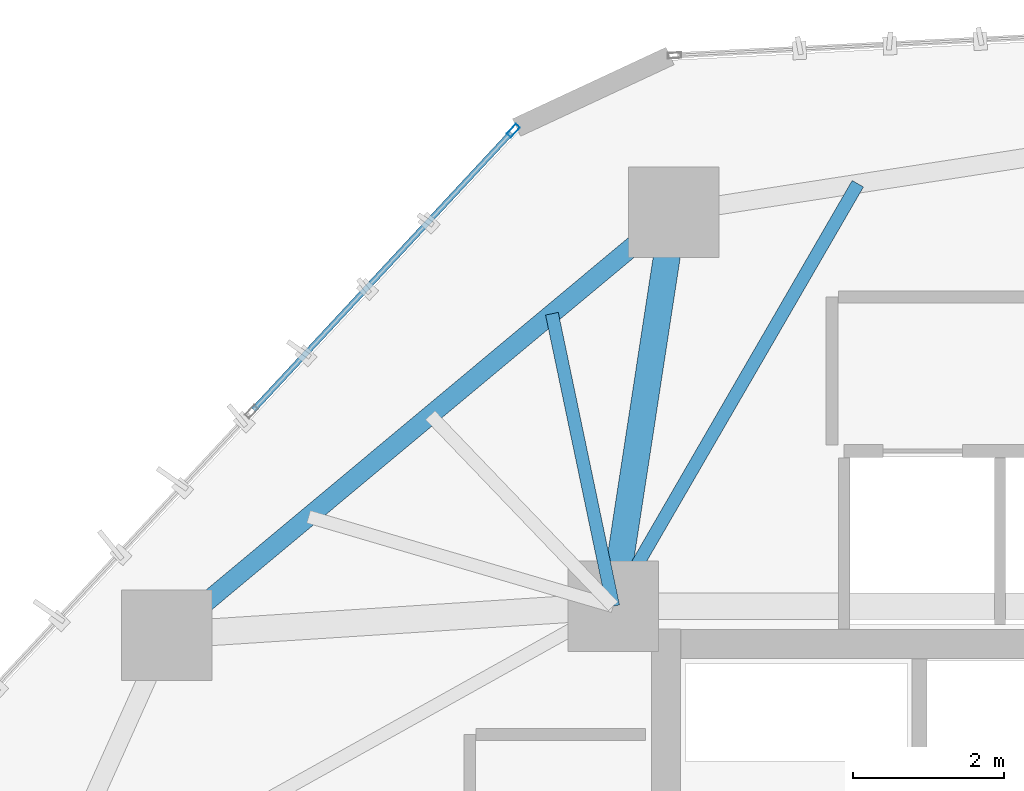
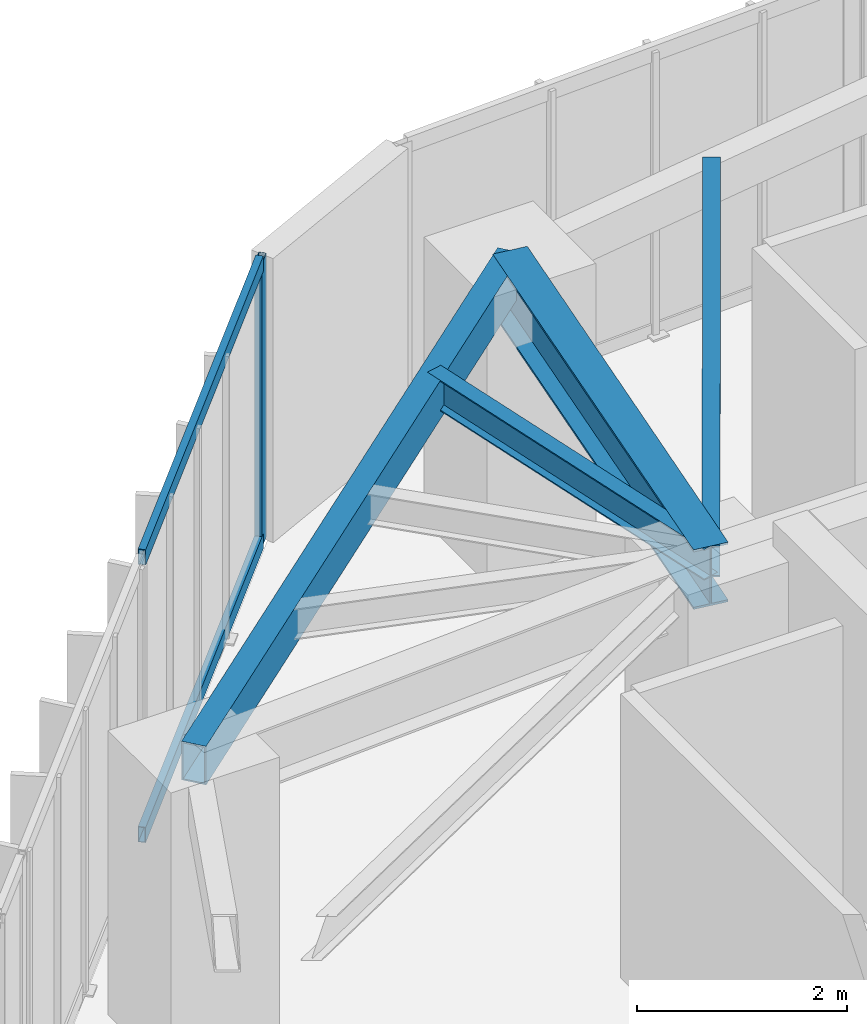
# One storey, part 11 of 23: 4 beams, 3 members, 1 element without a shape of its own.
"""IFC4 building model written with IfcOpenShell, lengths in metres."""

from ifc_helpers import new_model, si_unit, direction, frame, origin, origin_2d, place, context, subcontext, project, spatial, hollow_rectangle, i_section, extrude, source, transform, mapped, material, layer, layer_set, material_profile, profile_set, type_object, type_shapes, element, aggregate, save


model = new_model("IFC4")

# Units and contexts
model_context = context("Model", 3, precision=1e-05, world=origin(), true_north=direction((0.0, 1.0)))
body_context = subcontext(model_context, "Body", "Model", "MODEL_VIEW")
ifc_project = project(units=[si_unit("LENGTHUNIT", "METRE"), si_unit("AREAUNIT", "SQUARE_METRE"), si_unit("VOLUMEUNIT", "CUBIC_METRE"), si_unit("PLANEANGLEUNIT", "RADIAN"), si_unit("MASSUNIT", "GRAM", prefix="KILO")], contexts=[model_context])

# Site, building, storey
site_placement = place(None, origin())
site = spatial("IfcSite", under=ifc_project, at=site_placement, CompositionType="ELEMENT")
building_placement = place(site_placement, origin())
building = spatial("IfcBuilding", under=site, at=building_placement, Name="Talar Marvaseh", CompositionType="ELEMENT")
storey_placement = place(building_placement, frame((0.0, 0.0, 100.199951171875)))
storey = spatial("IfcBuildingStorey", under=building, at=storey_placement, Name="L25", CompositionType="ELEMENT", Elevation=100.199951171875)

# Beams
ifc_material_1 = material(Name="Steel S355", Category="steel")
ifc_material_profile_1 = material_profile(ifc_material_1, hollow_rectangle(XDim=0.25, YDim=0.449951171875, WallThickness=0.01611328125, at=origin_2d()), Name="RHS450x250x16")
ifc_profile_set_1 = profile_set([ifc_material_profile_1], Name="Steel S355")
beam_type_1 = type_object("IfcBeamType", Name="Zone 2 Perimeter Spandrel Beam RHS450x250x16", PredefinedType="SPANDREL", material=ifc_profile_set_1)
beam_1_placement = place(storey_placement, frame((12.780029296875, 36.51708984375, 3.0849609375), z_axis=(0.76793081465, 0.640532796905, 0.0), x_axis=(-0.640532796905, 0.76793081465, 0.0)))
element("IfcBeam", 1, at=beam_1_placement, inside=storey, type_object=beam_type_1, Name="L25 Zone 2 Perimeter Spandrel Beam RHS450x250x16", PredefinedType="SPANDREL", context=body_context, shape_type="SweptSolid", body=[
    extrude(hollow_rectangle(XDim=0.25, YDim=0.449951171875, WallThickness=0.01611328125, at=origin_2d()), origin(), (0.0, 0.0, 1.0), 8.751953125),
])
ifc_material_profile_2 = material_profile(ifc_material_1, i_section(OverallWidth=0.35498046875, OverallDepth=0.695068359375, WebThickness=0.015380859375, FlangeThickness=0.02490234375, at=origin_2d()), Name="W690x217")
ifc_profile_set_2 = profile_set([ifc_material_profile_2], Name="Steel S355")
beam_type_2 = type_object("IfcBeamType", Name="Zone 2 Radial Floor Girder W690x217", PredefinedType="BEAM", material=ifc_profile_set_2)
beam_2_placement = place(storey_placement, frame((19.5009765625, 42.123046875, 2.962646484375), z_axis=(-0.151588471466, -0.98844369355, 0.0), x_axis=(0.98844369355, -0.151588471466, 0.0)))
element("IfcBeam", 2, at=beam_2_placement, inside=storey, type_object=beam_type_2, Name="L25 Zone 2 Radial Floor Girder W690x217", PredefinedType="BEAM", context=body_context, shape_type="SweptSolid", body=[
    extrude(i_section(OverallWidth=0.35498046875, OverallDepth=0.695068359375, WebThickness=0.015380859375, FlangeThickness=0.02490234375, at=origin_2d()), origin(), (0.0, 0.0, 1.0), 5.2841796875),
])
ifc_material_profile_3 = material_profile(ifc_material_1, i_section(OverallWidth=0.172119140625, OverallDepth=0.35791015625, WebThickness=0.0078125, FlangeThickness=0.01318359375, at=origin_2d()), Name="W360x57")
ifc_profile_set_3 = profile_set([ifc_material_profile_3], Name="Steel S355")
beam_type_3 = type_object("IfcBeamType", Name="Zone 2 Secondary Floor Joist W360x57", PredefinedType="JOIST", material=ifc_profile_set_3)
beam_3_placement = place(storey_placement, frame((17.887939453125, 40.777587890625, 3.131103515625), z_axis=(0.204960633597, -0.978770217505, 0.0), x_axis=(0.978770217505, 0.204960633597, 0.0)))
element("IfcBeam", 3, at=beam_3_placement, inside=storey, type_object=beam_type_3, Name="L25 Zone 2 Secondary Floor Joist W360x57", PredefinedType="JOIST", context=body_context, shape_type="SweptSolid", body=[
    extrude(i_section(OverallWidth=0.172119140625, OverallDepth=0.35791015625, WebThickness=0.0078125, FlangeThickness=0.01318359375, at=origin_2d()), origin(), (0.0, 0.0, 1.0), 3.9619140625),
])
beam_4_placement = place(storey_placement, frame((21.94287109375, 42.500732421875, 3.131103515625), z_axis=(-0.501074932228, -0.865403901246, 0.0), x_axis=(0.865403901246, -0.501074932228, 0.0)))
element("IfcBeam", 4, at=beam_4_placement, inside=storey, type_object=beam_type_3, Name="L25 Zone 2 Secondary Floor Joist W360x57", PredefinedType="JOIST", context=body_context, shape_type="SweptSolid", body=[
    extrude(i_section(OverallWidth=0.172119140625, OverallDepth=0.35791015625, WebThickness=0.0078125, FlangeThickness=0.01318359375, at=origin_2d()), origin(), (0.0, 0.0, 1.0), 6.471923828125),
])

# Curtain wall, members
ifc_material_2 = material(Name="Architectural Aluminium", Category="aluminium")
ifc_layer = layer(ifc_material_2, 0.199951171875)
ifc_layer_set = layer_set([ifc_layer], Name="Architectural Aluminium")
curtain_wall_type = type_object("IfcCurtainWallType", Name="Unitised Acoustic Library Curtain Wall Z2", PredefinedType="NOTDEFINED", material=ifc_layer_set)
curtain_wall_placement = place(storey_placement, origin())
curtain_wall = element("IfcCurtainWall", 5, at=curtain_wall_placement, inside=storey, type_object=curtain_wall_type, Name="L25 Unitised Acoustic Library Curtain Wall Z2", PredefinedType="NOTDEFINED")
ifc_material_profile_4 = material_profile(ifc_material_2, hollow_rectangle(XDim=0.074951171875, YDim=0.179931640625, WallThickness=0.0048828125, at=origin_2d()), Name="RHS180x75x5")
ifc_profile_set_4 = profile_set([ifc_material_profile_4], Name="Architectural Aluminium")
member_type_1 = type_object("IfcMemberType", Name="Unitised Curtain Wall Standard Mullion RHS180x75x5", PredefinedType="MULLION", material=ifc_profile_set_4)
shared_shape_1 = source(origin(), body_context, "Body", "SweptSolid", [
    extrude(hollow_rectangle(XDim=0.074951171875, YDim=0.179931640625, WallThickness=0.0048828125, at=origin_2d()), origin(), (0.0, 0.0, 1.0), 3.31005859375),
])
type_shapes(member_type_1, [shared_shape_1])
member_1_placement = place(storey_placement, frame((17.374755859375, 43.205078125, 0.0), z_axis=(0.0, 0.0, 1.0), x_axis=(-0.732159533567, 0.681133186247, 0.0)))
member_1 = element("IfcMember", 6, at=member_1_placement, type_object=member_type_1, Name="CW-Z2 mullion 4", PredefinedType="MULLION", context=body_context, shape_type="MappedRepresentation", body=[
    mapped(shared_shape_1, transform((0.0, 0.0, 0.0), x_axis=(1.0, 0.0, 0.0), y_axis=(0.0, 1.0, 0.0), z_axis=(0.0, 0.0, 1.0), scale=1.0)),
])
ifc_material_profile_5 = material_profile(ifc_material_2, hollow_rectangle(XDim=0.074951171875, YDim=0.179931640625, WallThickness=0.0048828125, at=origin_2d()), Name="RHS180x75x5")
ifc_profile_set_5 = profile_set([ifc_material_profile_5], Name="Architectural Aluminium")
member_type_2 = type_object("IfcMemberType", Name="Unitised Curtain Wall Transom RHS180x75x5", PredefinedType="USERDEFINED", material=ifc_profile_set_5)
shared_shape_2 = source(origin(), body_context, "Body", "SweptSolid", [
    extrude(hollow_rectangle(XDim=0.074951171875, YDim=0.179931640625, WallThickness=0.0048828125, at=origin_2d()), origin(), (0.0, 0.0, 1.0), 5.017578125),
])
type_shapes(member_type_2, [shared_shape_2])
member_2_placement = place(storey_placement, frame((13.931640625, 39.50390625, 0.03759765625), z_axis=(0.681150651337, 0.732143285282, 0.0), x_axis=(-0.732143285282, 0.681150651337, 0.0)))
member_2 = element("IfcMember", 7, at=member_2_placement, type_object=member_type_2, Name="CW-Z2 transom 3.1", ObjectType="TRANSOM", PredefinedType="USERDEFINED", context=body_context, shape_type="MappedRepresentation", body=[
    mapped(shared_shape_2, transform((0.0, 0.0, 0.0), x_axis=(1.0, 0.0, 0.0), y_axis=(0.0, 1.0, 0.0), z_axis=(0.0, 0.0, 1.0), scale=1.0)),
])
member_3_placement = place(storey_placement, frame((13.931640625, 39.50390625, 3.2724609375), z_axis=(0.681150651337, 0.732143285282, 0.0), x_axis=(-0.732143285282, 0.681150651337, 0.0)))
member_3 = element("IfcMember", 8, at=member_3_placement, type_object=member_type_2, Name="CW-Z2 transom 3.2", ObjectType="TRANSOM", PredefinedType="USERDEFINED", context=body_context, shape_type="MappedRepresentation", body=[
    mapped(shared_shape_2, transform((0.0, 0.0, 0.0), x_axis=(1.0, 0.0, 0.0), y_axis=(0.0, 1.0, 0.0), z_axis=(0.0, 0.0, 1.0), scale=1.0)),
])
aggregate(curtain_wall, [member_1, member_2, member_3])

save(model, "model.ifc")
